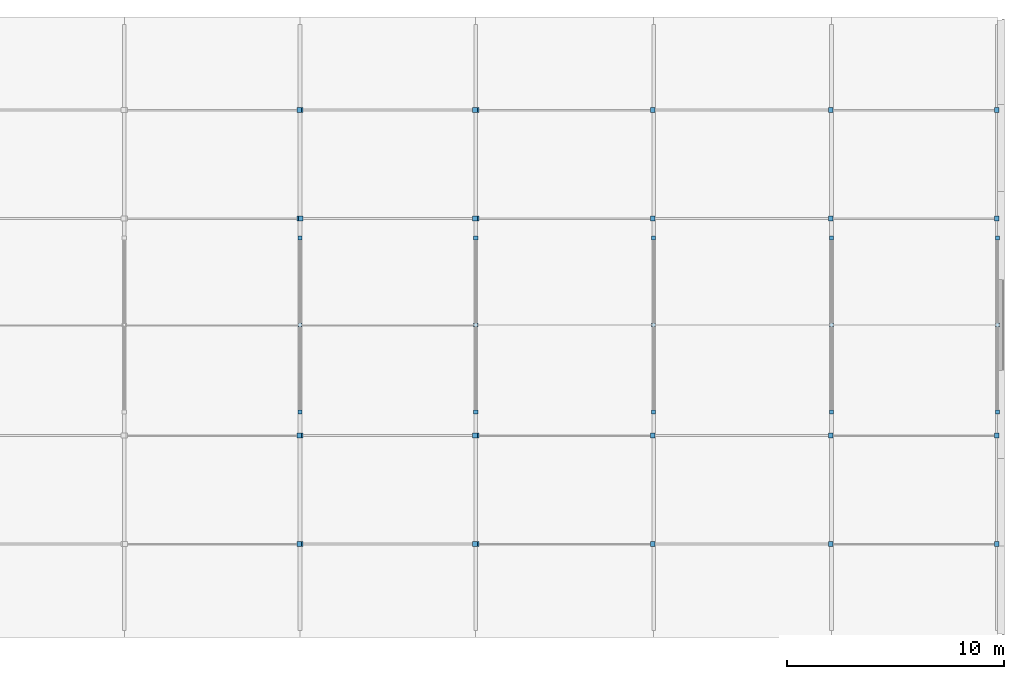
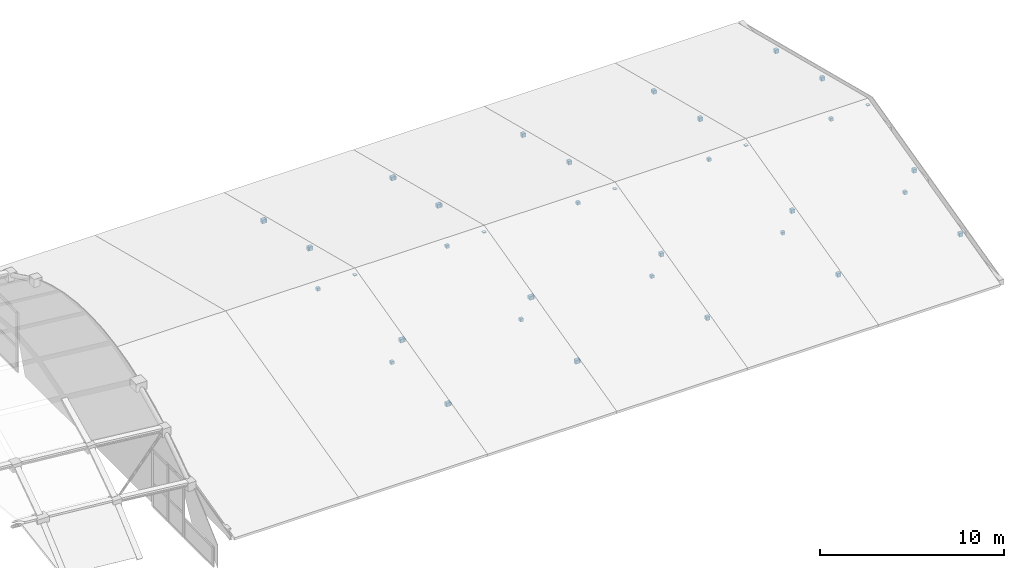
# One storey, part 51 of 65: 43 plates.
"""IFC4 building model written with IfcOpenShell, lengths in metres."""

from ifc_helpers import new_model, si_unit, direction, frame, origin, origin_2d, place, context, subcontext, project, spatial, rectangle, extrude, material, layer, layer_set, type_object, element, save


model = new_model("IFC4")

# Units and contexts
model_context = context("Model", 3, precision=1e-05, world=origin(), true_north=direction((0.0, 1.0)))
body_context = subcontext(model_context, "Body", "Model", "MODEL_VIEW")
ifc_project = project(units=[si_unit("LENGTHUNIT", "METRE"), si_unit("AREAUNIT", "SQUARE_METRE"), si_unit("VOLUMEUNIT", "CUBIC_METRE"), si_unit("PLANEANGLEUNIT", "RADIAN"), si_unit("MASSUNIT", "GRAM", prefix="KILO")], contexts=[model_context])

# Site, building, storey
site_placement = place(None, origin())
site = spatial("IfcSite", under=ifc_project, at=site_placement, CompositionType="ELEMENT")
building_placement = place(site_placement, origin())
building = spatial("IfcBuilding", under=site, at=building_placement, Name="Quillay Park Conservatory", CompositionType="ELEMENT")
storey_placement = place(building_placement, frame((0.0, 0.0, 14.10009765625)))
storey = spatial("IfcBuildingStorey", under=building, at=storey_placement, Name="L03", CompositionType="ELEMENT", Elevation=14.10009765625)

# Plates
ifc_material_1 = material(Name="Steel S355J2H", Category="steel")
ifc_layer_1 = layer(ifc_material_1, 0.02001953125)
ifc_layer_set_1 = layer_set([ifc_layer_1], Name="HOLLOW END CAP PLATE 190 (Steel S355J2H)")
plate_type_1 = type_object("IfcPlateType", Name="HOLLOW END CAP PLATE 190", PredefinedType="USERDEFINED", material=ifc_layer_set_1)
plate_1_placement = place(storey_placement, frame((131.699951171875, 99.60009765625, 1.8330078125), z_axis=(0.0, 0.0, 1.0), x_axis=(1.0, 0.0, 0.0)))
element("IfcPlate", 1, at=plate_1_placement, inside=storey, type_object=plate_type_1, Name="Hollow steel end cap ECP-0217", ObjectType="FLANGE PLATE", PredefinedType="USERDEFINED", context=body_context, shape_type="SweptSolid", body=[
    extrude(rectangle(XDim=0.195068359375, YDim=0.195068359375, at=origin_2d()), origin(), (0.0, 0.0, 1.0), 0.055908203125),
])
for number, where, z_axis, x_axis, name in (
    (2, (131.699951171875, 95.591552734375, -1.60400390625), (0.0, 0.0, 1.0), (1.0, 0.0, 0.0), "Hollow steel end cap ECP-0218"),
    (3, (131.699951171875, 103.6083984375, -1.60400390625), (0.0, 0.0, 1.0), (1.0, 0.0, 0.0), "Hollow steel end cap ECP-0219"),
):
    element("IfcPlate", number, at=place(storey_placement, frame(where, z_axis=z_axis, x_axis=x_axis)), inside=storey, type_object=plate_type_1, Name=name, ObjectType="FLANGE PLATE", PredefinedType="USERDEFINED", context=body_context, shape_type="SweptSolid", body=[
        extrude(rectangle(XDim=0.195068359375, YDim=0.195068359375, at=origin_2d()), origin(), (0.0, 0.0, 1.0), 0.194091796875),
    ])
plate_2_placement = place(storey_placement, frame((139.800048828125, 99.60009765625, 1.8330078125), z_axis=(0.0, 0.0, 1.0), x_axis=(1.0, 0.0, 0.0)))
element("IfcPlate", 4, at=plate_2_placement, inside=storey, type_object=plate_type_1, Name="Hollow steel end cap ECP-0223", ObjectType="FLANGE PLATE", PredefinedType="USERDEFINED", context=body_context, shape_type="SweptSolid", body=[
    extrude(rectangle(XDim=0.195068359375, YDim=0.195068359375, at=origin_2d()), origin(), (0.0, 0.0, 1.0), 0.055908203125),
])
for number, where, z_axis, x_axis, name in (
    (5, (139.800048828125, 95.591552734375, -1.60400390625), (0.0, 0.0, 1.0), (1.0, 0.0, 0.0), "Hollow steel end cap ECP-0224"),
    (6, (139.800048828125, 103.6083984375, -1.60400390625), (0.0, 0.0, 1.0), (1.0, 0.0, 0.0), "Hollow steel end cap ECP-0225"),
):
    element("IfcPlate", number, at=place(storey_placement, frame(where, z_axis=z_axis, x_axis=x_axis)), inside=storey, type_object=plate_type_1, Name=name, ObjectType="FLANGE PLATE", PredefinedType="USERDEFINED", context=body_context, shape_type="SweptSolid", body=[
        extrude(rectangle(XDim=0.195068359375, YDim=0.195068359375, at=origin_2d()), origin(), (0.0, 0.0, 1.0), 0.194091796875),
    ])
plate_3_placement = place(storey_placement, frame((148.0, 99.60009765625, 1.8330078125), z_axis=(0.0, 0.0, 1.0), x_axis=(1.0, 0.0, 0.0)))
element("IfcPlate", 7, at=plate_3_placement, inside=storey, type_object=plate_type_1, Name="Hollow steel end cap ECP-0229", ObjectType="FLANGE PLATE", PredefinedType="USERDEFINED", context=body_context, shape_type="SweptSolid", body=[
    extrude(rectangle(XDim=0.195068359375, YDim=0.195068359375, at=origin_2d()), origin(), (0.0, 0.0, 1.0), 0.055908203125),
])
for number, where, z_axis, x_axis, name in (
    (8, (148.0, 95.591552734375, -1.60400390625), (0.0, 0.0, 1.0), (1.0, 0.0, 0.0), "Hollow steel end cap ECP-0230"),
    (9, (148.0, 103.6083984375, -1.60400390625), (0.0, 0.0, 1.0), (1.0, 0.0, 0.0), "Hollow steel end cap ECP-0231"),
):
    element("IfcPlate", number, at=place(storey_placement, frame(where, z_axis=z_axis, x_axis=x_axis)), inside=storey, type_object=plate_type_1, Name=name, ObjectType="FLANGE PLATE", PredefinedType="USERDEFINED", context=body_context, shape_type="SweptSolid", body=[
        extrude(rectangle(XDim=0.195068359375, YDim=0.195068359375, at=origin_2d()), origin(), (0.0, 0.0, 1.0), 0.194091796875),
    ])
plate_4_placement = place(storey_placement, frame((156.199951171875, 99.60009765625, 1.8330078125), z_axis=(0.0, 0.0, 1.0), x_axis=(1.0, 0.0, 0.0)))
element("IfcPlate", 10, at=plate_4_placement, inside=storey, type_object=plate_type_1, Name="Hollow steel end cap ECP-0235", ObjectType="FLANGE PLATE", PredefinedType="USERDEFINED", context=body_context, shape_type="SweptSolid", body=[
    extrude(rectangle(XDim=0.195068359375, YDim=0.195068359375, at=origin_2d()), origin(), (0.0, 0.0, 1.0), 0.055908203125),
])
for number, where, z_axis, x_axis, name in (
    (11, (156.199951171875, 95.591552734375, -1.60400390625), (0.0, 0.0, 1.0), (1.0, 0.0, 0.0), "Hollow steel end cap ECP-0236"),
    (12, (156.199951171875, 103.6083984375, -1.60400390625), (0.0, 0.0, 1.0), (1.0, 0.0, 0.0), "Hollow steel end cap ECP-0237"),
):
    element("IfcPlate", number, at=place(storey_placement, frame(where, z_axis=z_axis, x_axis=x_axis)), inside=storey, type_object=plate_type_1, Name=name, ObjectType="FLANGE PLATE", PredefinedType="USERDEFINED", context=body_context, shape_type="SweptSolid", body=[
        extrude(rectangle(XDim=0.195068359375, YDim=0.195068359375, at=origin_2d()), origin(), (0.0, 0.0, 1.0), 0.194091796875),
    ])
plate_5_placement = place(storey_placement, frame((163.85009765625, 99.60009765625, 1.8330078125), z_axis=(0.0, 0.0, 1.0), x_axis=(1.0, 0.0, 0.0)))
element("IfcPlate", 13, at=plate_5_placement, inside=storey, type_object=plate_type_1, Name="Hollow steel end cap ECP-0241", ObjectType="FLANGE PLATE", PredefinedType="USERDEFINED", context=body_context, shape_type="SweptSolid", body=[
    extrude(rectangle(XDim=0.195068359375, YDim=0.195068359375, at=origin_2d()), origin(), (0.0, 0.0, 1.0), 0.055908203125),
])
for number, where, z_axis, x_axis, name in (
    (14, (163.85009765625, 95.591552734375, -1.60400390625), (0.0, 0.0, 1.0), (1.0, 0.0, 0.0), "Hollow steel end cap ECP-0242"),
    (15, (163.85009765625, 103.6083984375, -1.60400390625), (0.0, 0.0, 1.0), (1.0, 0.0, 0.0), "Hollow steel end cap ECP-0243"),
):
    element("IfcPlate", number, at=place(storey_placement, frame(where, z_axis=z_axis, x_axis=x_axis)), inside=storey, type_object=plate_type_1, Name=name, ObjectType="FLANGE PLATE", PredefinedType="USERDEFINED", context=body_context, shape_type="SweptSolid", body=[
        extrude(rectangle(XDim=0.195068359375, YDim=0.195068359375, at=origin_2d()), origin(), (0.0, 0.0, 1.0), 0.194091796875),
    ])
ifc_material_2 = material(Name="Steel S355J2H", Category="steel")
ifc_layer_2 = layer(ifc_material_2, 0.02001953125)
ifc_layer_set_2 = layer_set([ifc_layer_2], Name="HOLLOW END CAP PLATE 220 X140 (Steel S355J2H)")
plate_type_2 = type_object("IfcPlateType", Name="HOLLOW END CAP PLATE 220 X140", PredefinedType="USERDEFINED", material=ifc_layer_set_2)
for number, where, z_axis, x_axis, name in (
    (16, (131.660888671875, 89.5, -0.68017578125), (0.0, 0.0, 1.0), (1.0, 0.0, 0.0), "Hollow steel end cap ECP-0171"),
    (17, (131.660888671875, 94.5, 0.51171875), (0.0, 0.0, 1.0), (1.0, 0.0, 0.0), "Hollow steel end cap ECP-0173"),
    (18, (131.660888671875, 104.5, 0.53857421875), (0.0, 0.0, 1.0), (1.0, 0.0, 0.0), "Hollow steel end cap ECP-0175"),
    (19, (131.660888671875, 109.5, -0.67529296875), (0.0, 0.0, 1.0), (1.0, 0.0, 0.0), "Hollow steel end cap ECP-0177"),
    (20, (131.739013671875, 89.5, -0.68017578125), (0.0, 0.0, 1.0), (1.0, 0.0, 0.0), "Hollow steel end cap ECP-0178"),
    (21, (139.760986328125, 89.5, -0.68017578125), (0.0, 0.0, 1.0), (1.0, 0.0, 0.0), "Hollow steel end cap ECP-0179"),
    (22, (131.739013671875, 94.5, 0.51171875), (0.0, 0.0, 1.0), (1.0, 0.0, 0.0), "Hollow steel end cap ECP-0180"),
    (23, (139.760986328125, 94.5, 0.51171875), (0.0, 0.0, 1.0), (1.0, 0.0, 0.0), "Hollow steel end cap ECP-0181"),
    (24, (131.739013671875, 104.5, 0.53857421875), (0.0, 0.0, 1.0), (1.0, 0.0, 0.0), "Hollow steel end cap ECP-0182"),
    (25, (139.760986328125, 104.5, 0.53857421875), (0.0, 0.0, 1.0), (1.0, 0.0, 0.0), "Hollow steel end cap ECP-0183"),
    (26, (131.739013671875, 109.5, -0.67529296875), (0.0, 0.0, 1.0), (1.0, 0.0, 0.0), "Hollow steel end cap ECP-0184"),
    (27, (139.760986328125, 109.5, -0.67529296875), (0.0, 0.0, 1.0), (1.0, 0.0, 0.0), "Hollow steel end cap ECP-0185"),
    (28, (139.839111328125, 89.5, -0.68017578125), (0.0, 0.0, 1.0), (1.0, 0.0, 0.0), "Hollow steel end cap ECP-0186"),
    (29, (147.9609375, 89.5, -0.68017578125), (0.0, 0.0, 1.0), (1.0, 0.0, 0.0), "Hollow steel end cap ECP-0187"),
    (30, (139.839111328125, 94.5, 0.51171875), (0.0, 0.0, 1.0), (1.0, 0.0, 0.0), "Hollow steel end cap ECP-0188"),
    (31, (147.9609375, 94.5, 0.51171875), (0.0, 0.0, 1.0), (1.0, 0.0, 0.0), "Hollow steel end cap ECP-0189"),
    (32, (139.839111328125, 104.5, 0.53857421875), (0.0, 0.0, 1.0), (1.0, 0.0, 0.0), "Hollow steel end cap ECP-0190"),
    (33, (147.9609375, 104.5, 0.53857421875), (0.0, 0.0, 1.0), (1.0, 0.0, 0.0), "Hollow steel end cap ECP-0191"),
    (34, (139.839111328125, 109.5, -0.67529296875), (0.0, 0.0, 1.0), (1.0, 0.0, 0.0), "Hollow steel end cap ECP-0192"),
    (35, (147.9609375, 109.5, -0.67529296875), (0.0, 0.0, 1.0), (1.0, 0.0, 0.0), "Hollow steel end cap ECP-0193"),
    (36, (156.160888671875, 89.5, -0.68017578125), (0.0, 0.0, 1.0), (1.0, 0.0, 0.0), "Hollow steel end cap ECP-0194"),
    (37, (156.160888671875, 94.5, 0.51171875), (0.0, 0.0, 1.0), (1.0, 0.0, 0.0), "Hollow steel end cap ECP-0195"),
    (38, (156.160888671875, 104.5, 0.53857421875), (0.0, 0.0, 1.0), (1.0, 0.0, 0.0), "Hollow steel end cap ECP-0196"),
    (39, (156.160888671875, 109.5, -0.67529296875), (0.0, 0.0, 1.0), (1.0, 0.0, 0.0), "Hollow steel end cap ECP-0197"),
    (40, (163.81103515625, 89.5, -0.68017578125), (0.0, 0.0, 1.0), (1.0, 0.0, 0.0), "Hollow steel end cap ECP-0198"),
    (41, (163.81103515625, 94.5, 0.51171875), (0.0, 0.0, 1.0), (1.0, 0.0, 0.0), "Hollow steel end cap ECP-0199"),
    (42, (163.81103515625, 104.5, 0.53857421875), (0.0, 0.0, 1.0), (1.0, 0.0, 0.0), "Hollow steel end cap ECP-0200"),
    (43, (163.81103515625, 109.5, -0.67529296875), (0.0, 0.0, 1.0), (1.0, 0.0, 0.0), "Hollow steel end cap ECP-0201"),
):
    element("IfcPlate", number, at=place(storey_placement, frame(where, z_axis=z_axis, x_axis=x_axis)), inside=storey, type_object=plate_type_2, Name=name, ObjectType="FLANGE PLATE", PredefinedType="USERDEFINED", context=body_context, shape_type="SweptSolid", body=[
        extrude(rectangle(XDim=0.219970703125, YDim=0.219970703125, at=origin_2d()), origin(), (0.0, 0.0, 1.0), 0.243896484375),
    ])

save(model, "model.ifc")
